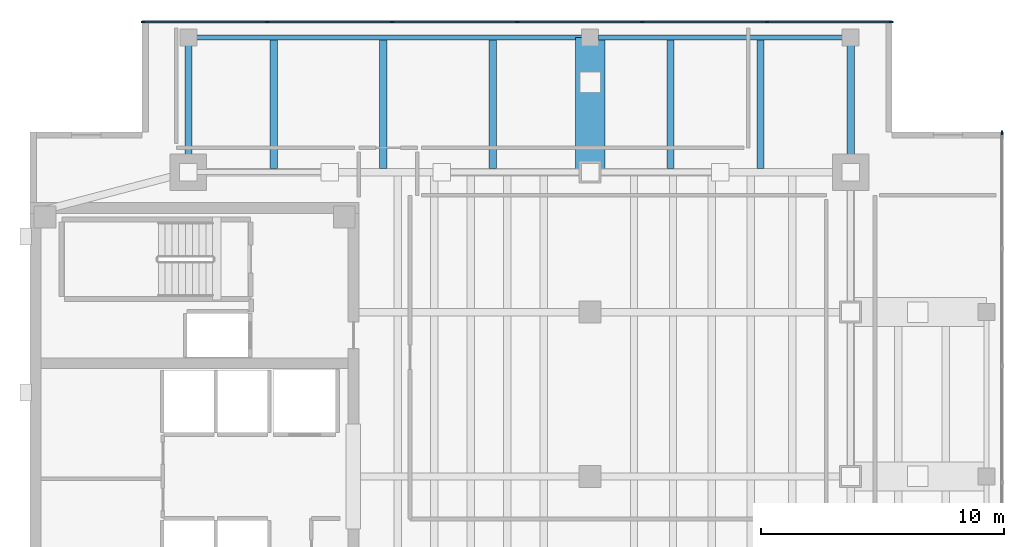
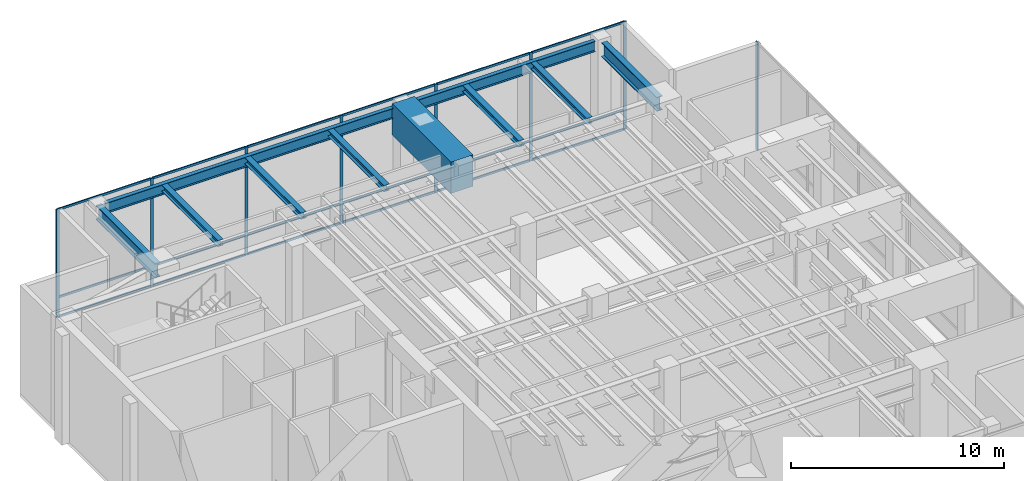
# One storey, part 6 of 11: 26 members, 10 beams, 2 elements without a shape of their own.
"""IFC4 building model written with IfcOpenShell, lengths in metres."""

from ifc_helpers import new_model, si_unit, direction, frame, origin, origin_2d, place, context, subcontext, project, spatial, rectangle, i_section, extrude, material, layer, layer_set, material_profile, profile_set, type_object, element, aggregate, save


model = new_model("IFC4")

# Units and contexts
model_context = context("Model", 3, precision=1e-05, world=origin(), true_north=direction((0.0, 1.0)))
body_context = subcontext(model_context, "Body", "Model", "MODEL_VIEW")
ifc_project = project(units=[si_unit("LENGTHUNIT", "METRE"), si_unit("AREAUNIT", "SQUARE_METRE"), si_unit("VOLUMEUNIT", "CUBIC_METRE"), si_unit("PLANEANGLEUNIT", "RADIAN"), si_unit("MASSUNIT", "GRAM", prefix="KILO")], contexts=[model_context])

# Site, building, storey
site_placement = place(None, origin())
site = spatial("IfcSite", under=ifc_project, at=site_placement, CompositionType="ELEMENT")
building_placement = place(site_placement, origin())
building = spatial("IfcBuilding", under=site, at=building_placement, Name="Kinhvarn Gate Tower", CompositionType="ELEMENT")
storey_placement = place(building_placement, frame((0.0, 0.0, 296.64990234375)))
storey = spatial("IfcBuildingStorey", under=building, at=storey_placement, Name="L79", CompositionType="ELEMENT", Elevation=296.64990234375)

# Beams
ifc_material_1 = material(Name="Steel S355", Category="steel")
ifc_material_profile_1 = material_profile(ifc_material_1, i_section(OverallWidth=0.302978515625, OverallDepth=0.81396484375, WebThickness=0.02099609375, FlangeThickness=0.0400390625, at=origin_2d()), Name="HEM 800")
ifc_profile_set_1 = profile_set([ifc_material_profile_1], Name="Steel S355")
beam_type_1 = type_object("IfcBeamType", Name="BM-HEM800", PredefinedType="BEAM", material=ifc_profile_set_1)
beam_1_placement = place(storey_placement, frame((11.0, 37.75, 5.793212890625), z_axis=(0.0, 1.0, 0.0), x_axis=(-1.0, 0.0, 0.0)))
element("IfcBeam", 1, at=beam_1_placement, inside=storey, type_object=beam_type_1, Name="Floor Beam HG-22 (L79 MCW-N)", PredefinedType="BEAM", context=body_context, shape_type="SweptSolid", body=[
    extrude(i_section(OverallWidth=0.302978515625, OverallDepth=0.81396484375, WebThickness=0.02099609375, FlangeThickness=0.0400390625, at=origin_2d()), origin(), (0.0, 0.0, 1.0), 5.530029296875),
])
beam_2_placement = place(storey_placement, frame((38.199951171875, 37.75, 5.793212890625), z_axis=(0.0, 1.0, 0.0), x_axis=(-1.0, 0.0, 0.0)))
element("IfcBeam", 2, at=beam_2_placement, inside=storey, type_object=beam_type_1, Name="Floor Beam HG-22 (L79 MCE-N)", PredefinedType="BEAM", context=body_context, shape_type="SweptSolid", body=[
    extrude(i_section(OverallWidth=0.302978515625, OverallDepth=0.81396484375, WebThickness=0.02099609375, FlangeThickness=0.0400390625, at=origin_2d()), origin(), (0.0, 0.0, 1.0), 5.195068359375),
])
ifc_material_2 = material(Name="Concrete C50/60", Category="concrete")
ifc_material_profile_2 = material_profile(ifc_material_2, rectangle(XDim=1.199951171875, YDim=1.800048828125, at=origin_2d()), Name="RC 1200x1800")
ifc_profile_set_2 = profile_set([ifc_material_profile_2], Name="Concrete C50/60")
beam_type_2 = type_object("IfcBeamType", Name="BM-TG-1800", PredefinedType="BEAM", material=ifc_profile_set_2)
beam_3_placement = place(storey_placement, frame((27.5, 37.75, 5.5), z_axis=(0.0, 1.0, 0.0), x_axis=(-1.0, 0.0, 0.0)))
element("IfcBeam", 3, at=beam_3_placement, inside=storey, type_object=beam_type_2, Name="Setback Transfer Girder TG-03-L80-CCR-N1", PredefinedType="BEAM", context=body_context, shape_type="SweptSolid", body=[
    extrude(rectangle(XDim=1.199951171875, YDim=1.800048828125, at=origin_2d()), origin(), (0.0, 0.0, 1.0), 5.530029296875),
])

# Curtain wall, members
ifc_material_3 = material(Name="Anodised aluminium AW-6063", Category="aluminium")
ifc_layer = layer(ifc_material_3, 0.199951171875)
ifc_layer_set = layer_set([ifc_layer], Name="Anodised aluminium AW-6063")
curtain_wall_type = type_object("IfcCurtainWallType", Name="CW-SYS-6", PredefinedType="NOTDEFINED", material=ifc_layer_set)
curtain_wall_1_placement = place(storey_placement, origin())
curtain_wall_1 = element("IfcCurtainWall", 4, at=curtain_wall_1_placement, inside=storey, type_object=curtain_wall_type, Name="Curtain Wall CW6 (L79)", PredefinedType="NOTDEFINED")
ifc_material_profile_3 = material_profile(ifc_material_3, rectangle(XDim=0.06494140625, YDim=0.159912109375, at=origin_2d()), Name="ALU 65x160")
ifc_profile_set_3 = profile_set([ifc_material_profile_3], Name="Anodised aluminium AW-6063")
member_type_1 = type_object("IfcMemberType", Name="CW-MUL-160", PredefinedType="MULLION", material=ifc_profile_set_3)
member_1_placement = place(storey_placement, frame((39.867431640625, 43.909912109375, 0.0), z_axis=(0.0, 0.0, 1.0), x_axis=(0.0, -1.0, 0.0)))
member_1 = element("IfcMember", 5, at=member_1_placement, type_object=member_type_1, Name="CW6 mullion 1", PredefinedType="MULLION", context=body_context, shape_type="SweptSolid", body=[
    extrude(rectangle(XDim=0.06494140625, YDim=0.159912109375, at=origin_2d()), origin(), (0.0, 0.0, 1.0), 6.2001953125),
])
member_2_placement = place(storey_placement, frame((34.7666015625, 43.909912109375, 0.0), z_axis=(0.0, 0.0, 1.0), x_axis=(0.0, -1.0, 0.0)))
member_2 = element("IfcMember", 6, at=member_2_placement, type_object=member_type_1, Name="CW6 mullion 2", PredefinedType="MULLION", context=body_context, shape_type="SweptSolid", body=[
    extrude(rectangle(XDim=0.06494140625, YDim=0.159912109375, at=origin_2d()), origin(), (0.0, 0.0, 1.0), 6.2001953125),
])
member_3_placement = place(storey_placement, frame((29.63330078125, 43.909912109375, 0.0), z_axis=(0.0, 0.0, 1.0), x_axis=(0.0, -1.0, 0.0)))
member_3 = element("IfcMember", 7, at=member_3_placement, type_object=member_type_1, Name="CW6 mullion 3", PredefinedType="MULLION", context=body_context, shape_type="SweptSolid", body=[
    extrude(rectangle(XDim=0.06494140625, YDim=0.159912109375, at=origin_2d()), origin(), (0.0, 0.0, 1.0), 6.2001953125),
])
member_4_placement = place(storey_placement, frame((24.5, 43.909912109375, 0.0), z_axis=(0.0, 0.0, 1.0), x_axis=(0.0, -1.0, 0.0)))
member_4 = element("IfcMember", 8, at=member_4_placement, type_object=member_type_1, Name="CW6 mullion 4", PredefinedType="MULLION", context=body_context, shape_type="SweptSolid", body=[
    extrude(rectangle(XDim=0.06494140625, YDim=0.159912109375, at=origin_2d()), origin(), (0.0, 0.0, 1.0), 6.2001953125),
])
member_5_placement = place(storey_placement, frame((19.36669921875, 43.909912109375, 0.0), z_axis=(0.0, 0.0, 1.0), x_axis=(0.0, -1.0, 0.0)))
member_5 = element("IfcMember", 9, at=member_5_placement, type_object=member_type_1, Name="CW6 mullion 5", PredefinedType="MULLION", context=body_context, shape_type="SweptSolid", body=[
    extrude(rectangle(XDim=0.06494140625, YDim=0.159912109375, at=origin_2d()), origin(), (0.0, 0.0, 1.0), 6.2001953125),
])
member_6_placement = place(storey_placement, frame((14.2333984375, 43.909912109375, 0.0), z_axis=(0.0, 0.0, 1.0), x_axis=(0.0, -1.0, 0.0)))
member_6 = element("IfcMember", 10, at=member_6_placement, type_object=member_type_1, Name="CW6 mullion 6", PredefinedType="MULLION", context=body_context, shape_type="SweptSolid", body=[
    extrude(rectangle(XDim=0.06494140625, YDim=0.159912109375, at=origin_2d()), origin(), (0.0, 0.0, 1.0), 6.2001953125),
])
member_7_placement = place(storey_placement, frame((9.132568359375, 43.909912109375, 0.0), z_axis=(0.0, 0.0, 1.0), x_axis=(0.0, -1.0, 0.0)))
member_7 = element("IfcMember", 11, at=member_7_placement, type_object=member_type_1, Name="CW6 mullion 7", PredefinedType="MULLION", context=body_context, shape_type="SweptSolid", body=[
    extrude(rectangle(XDim=0.06494140625, YDim=0.159912109375, at=origin_2d()), origin(), (0.0, 0.0, 1.0), 6.2001953125),
])

# Curtain wall, member
curtain_wall_2_placement = place(storey_placement, origin())
curtain_wall_2 = element("IfcCurtainWall", 12, at=curtain_wall_2_placement, inside=storey, type_object=curtain_wall_type, Name="Curtain Wall CW6 (L79)", PredefinedType="NOTDEFINED")
member_8_placement = place(storey_placement, frame((44.409912109375, 39.367431640625, 0.0), z_axis=(0.0, 0.0, 1.0), x_axis=(-1.0, 0.0, 0.0)))
member_8 = element("IfcMember", 13, at=member_8_placement, type_object=member_type_1, Name="CW6 mullion 7", PredefinedType="MULLION", context=body_context, shape_type="SweptSolid", body=[
    extrude(rectangle(XDim=0.06494140625, YDim=0.159912109375, at=origin_2d()), origin(), (0.0, 0.0, 1.0), 6.2001953125),
])
aggregate(curtain_wall_2, [member_8])

# Member
ifc_material_profile_4 = material_profile(ifc_material_3, rectangle(XDim=0.06494140625, YDim=0.1201171875, at=origin_2d()), Name="ALU 65x120")
ifc_profile_set_4 = profile_set([ifc_material_profile_4], Name="Anodised aluminium AW-6063")
member_type_2 = type_object("IfcMemberType", Name="CW-TRN-120", PredefinedType="USERDEFINED", material=ifc_profile_set_4)
member_9_placement = place(storey_placement, frame((39.8349609375, 43.909912109375, 0.03271484375), z_axis=(-1.0, 0.0, 0.0), x_axis=(0.0, -1.0, 0.0)))
member_9 = element("IfcMember", 14, at=member_9_placement, type_object=member_type_2, Name="CW6 transom 1.1", ObjectType="TRANSOM", PredefinedType="USERDEFINED", context=body_context, shape_type="SweptSolid", body=[
    extrude(rectangle(XDim=0.06494140625, YDim=0.1201171875, at=origin_2d()), origin(), (0.0, 0.0, 1.0), 5.035888671875),
])

member_10_placement = place(storey_placement, frame((39.8349609375, 43.909912109375, 1.150146484375), z_axis=(-1.0, 0.0, 0.0), x_axis=(0.0, -1.0, 0.0)))
member_10 = element("IfcMember", 15, at=member_10_placement, type_object=member_type_2, Name="CW6 transom 1.2", ObjectType="TRANSOM", PredefinedType="USERDEFINED", context=body_context, shape_type="SweptSolid", body=[
    extrude(rectangle(XDim=0.06494140625, YDim=0.1201171875, at=origin_2d()), origin(), (0.0, 0.0, 1.0), 5.035888671875),
])

member_11_placement = place(storey_placement, frame((39.8349609375, 43.909912109375, 6.16748046875), z_axis=(-1.0, 0.0, 0.0), x_axis=(0.0, -1.0, 0.0)))
member_11 = element("IfcMember", 16, at=member_11_placement, type_object=member_type_2, Name="CW6 transom 1.3", ObjectType="TRANSOM", PredefinedType="USERDEFINED", context=body_context, shape_type="SweptSolid", body=[
    extrude(rectangle(XDim=0.06494140625, YDim=0.1201171875, at=origin_2d()), origin(), (0.0, 0.0, 1.0), 5.035888671875),
])

member_12_placement = place(storey_placement, frame((34.734130859375, 43.909912109375, 0.03271484375), z_axis=(-1.0, 0.0, 0.0), x_axis=(0.0, -1.0, 0.0)))
member_12 = element("IfcMember", 17, at=member_12_placement, type_object=member_type_2, Name="CW6 transom 2.1", ObjectType="TRANSOM", PredefinedType="USERDEFINED", context=body_context, shape_type="SweptSolid", body=[
    extrude(rectangle(XDim=0.06494140625, YDim=0.1201171875, at=origin_2d()), origin(), (0.0, 0.0, 1.0), 5.068359375),
])

member_13_placement = place(storey_placement, frame((34.734130859375, 43.909912109375, 1.150146484375), z_axis=(-1.0, 0.0, 0.0), x_axis=(0.0, -1.0, 0.0)))
member_13 = element("IfcMember", 18, at=member_13_placement, type_object=member_type_2, Name="CW6 transom 2.2", ObjectType="TRANSOM", PredefinedType="USERDEFINED", context=body_context, shape_type="SweptSolid", body=[
    extrude(rectangle(XDim=0.06494140625, YDim=0.1201171875, at=origin_2d()), origin(), (0.0, 0.0, 1.0), 5.068359375),
])

member_14_placement = place(storey_placement, frame((34.734130859375, 43.909912109375, 6.16748046875), z_axis=(-1.0, 0.0, 0.0), x_axis=(0.0, -1.0, 0.0)))
member_14 = element("IfcMember", 19, at=member_14_placement, type_object=member_type_2, Name="CW6 transom 2.3", ObjectType="TRANSOM", PredefinedType="USERDEFINED", context=body_context, shape_type="SweptSolid", body=[
    extrude(rectangle(XDim=0.06494140625, YDim=0.1201171875, at=origin_2d()), origin(), (0.0, 0.0, 1.0), 5.068359375),
])

member_15_placement = place(storey_placement, frame((29.600830078125, 43.909912109375, 0.03271484375), z_axis=(-1.0, 0.0, 0.0), x_axis=(0.0, -1.0, 0.0)))
member_15 = element("IfcMember", 20, at=member_15_placement, type_object=member_type_2, Name="CW6 transom 3.1", ObjectType="TRANSOM", PredefinedType="USERDEFINED", context=body_context, shape_type="SweptSolid", body=[
    extrude(rectangle(XDim=0.06494140625, YDim=0.1201171875, at=origin_2d()), origin(), (0.0, 0.0, 1.0), 5.068359375),
])

member_16_placement = place(storey_placement, frame((29.600830078125, 43.909912109375, 1.150146484375), z_axis=(-1.0, 0.0, 0.0), x_axis=(0.0, -1.0, 0.0)))
member_16 = element("IfcMember", 21, at=member_16_placement, type_object=member_type_2, Name="CW6 transom 3.2", ObjectType="TRANSOM", PredefinedType="USERDEFINED", context=body_context, shape_type="SweptSolid", body=[
    extrude(rectangle(XDim=0.06494140625, YDim=0.1201171875, at=origin_2d()), origin(), (0.0, 0.0, 1.0), 5.068359375),
])

member_17_placement = place(storey_placement, frame((29.600830078125, 43.909912109375, 6.16748046875), z_axis=(-1.0, 0.0, 0.0), x_axis=(0.0, -1.0, 0.0)))
member_17 = element("IfcMember", 22, at=member_17_placement, type_object=member_type_2, Name="CW6 transom 3.3", ObjectType="TRANSOM", PredefinedType="USERDEFINED", context=body_context, shape_type="SweptSolid", body=[
    extrude(rectangle(XDim=0.06494140625, YDim=0.1201171875, at=origin_2d()), origin(), (0.0, 0.0, 1.0), 5.068359375),
])

member_18_placement = place(storey_placement, frame((24.467529296875, 43.909912109375, 0.03271484375), z_axis=(-1.0, 0.0, 0.0), x_axis=(0.0, -1.0, 0.0)))
member_18 = element("IfcMember", 23, at=member_18_placement, type_object=member_type_2, Name="CW6 transom 4.1", ObjectType="TRANSOM", PredefinedType="USERDEFINED", context=body_context, shape_type="SweptSolid", body=[
    extrude(rectangle(XDim=0.06494140625, YDim=0.1201171875, at=origin_2d()), origin(), (0.0, 0.0, 1.0), 5.068359375),
])

member_19_placement = place(storey_placement, frame((24.467529296875, 43.909912109375, 1.150146484375), z_axis=(-1.0, 0.0, 0.0), x_axis=(0.0, -1.0, 0.0)))
member_19 = element("IfcMember", 24, at=member_19_placement, type_object=member_type_2, Name="CW6 transom 4.2", ObjectType="TRANSOM", PredefinedType="USERDEFINED", context=body_context, shape_type="SweptSolid", body=[
    extrude(rectangle(XDim=0.06494140625, YDim=0.1201171875, at=origin_2d()), origin(), (0.0, 0.0, 1.0), 5.068359375),
])

member_20_placement = place(storey_placement, frame((24.467529296875, 43.909912109375, 6.16748046875), z_axis=(-1.0, 0.0, 0.0), x_axis=(0.0, -1.0, 0.0)))
member_20 = element("IfcMember", 25, at=member_20_placement, type_object=member_type_2, Name="CW6 transom 4.3", ObjectType="TRANSOM", PredefinedType="USERDEFINED", context=body_context, shape_type="SweptSolid", body=[
    extrude(rectangle(XDim=0.06494140625, YDim=0.1201171875, at=origin_2d()), origin(), (0.0, 0.0, 1.0), 5.068359375),
])

member_21_placement = place(storey_placement, frame((19.334228515625, 43.909912109375, 0.03271484375), z_axis=(-1.0, 0.0, 0.0), x_axis=(0.0, -1.0, 0.0)))
member_21 = element("IfcMember", 26, at=member_21_placement, type_object=member_type_2, Name="CW6 transom 5.1", ObjectType="TRANSOM", PredefinedType="USERDEFINED", context=body_context, shape_type="SweptSolid", body=[
    extrude(rectangle(XDim=0.06494140625, YDim=0.1201171875, at=origin_2d()), origin(), (0.0, 0.0, 1.0), 5.068359375),
])

member_22_placement = place(storey_placement, frame((19.334228515625, 43.909912109375, 1.150146484375), z_axis=(-1.0, 0.0, 0.0), x_axis=(0.0, -1.0, 0.0)))
member_22 = element("IfcMember", 27, at=member_22_placement, type_object=member_type_2, Name="CW6 transom 5.2", ObjectType="TRANSOM", PredefinedType="USERDEFINED", context=body_context, shape_type="SweptSolid", body=[
    extrude(rectangle(XDim=0.06494140625, YDim=0.1201171875, at=origin_2d()), origin(), (0.0, 0.0, 1.0), 5.068359375),
])

member_23_placement = place(storey_placement, frame((19.334228515625, 43.909912109375, 6.16748046875), z_axis=(-1.0, 0.0, 0.0), x_axis=(0.0, -1.0, 0.0)))
member_23 = element("IfcMember", 28, at=member_23_placement, type_object=member_type_2, Name="CW6 transom 5.3", ObjectType="TRANSOM", PredefinedType="USERDEFINED", context=body_context, shape_type="SweptSolid", body=[
    extrude(rectangle(XDim=0.06494140625, YDim=0.1201171875, at=origin_2d()), origin(), (0.0, 0.0, 1.0), 5.068359375),
])

member_24_placement = place(storey_placement, frame((14.200927734375, 43.909912109375, 0.03271484375), z_axis=(-1.0, 0.0, 0.0), x_axis=(0.0, -1.0, 0.0)))
member_24 = element("IfcMember", 29, at=member_24_placement, type_object=member_type_2, Name="CW6 transom 6.1", ObjectType="TRANSOM", PredefinedType="USERDEFINED", context=body_context, shape_type="SweptSolid", body=[
    extrude(rectangle(XDim=0.06494140625, YDim=0.1201171875, at=origin_2d()), origin(), (0.0, 0.0, 1.0), 5.035888671875),
])

member_25_placement = place(storey_placement, frame((14.200927734375, 43.909912109375, 1.150146484375), z_axis=(-1.0, 0.0, 0.0), x_axis=(0.0, -1.0, 0.0)))
member_25 = element("IfcMember", 30, at=member_25_placement, type_object=member_type_2, Name="CW6 transom 6.2", ObjectType="TRANSOM", PredefinedType="USERDEFINED", context=body_context, shape_type="SweptSolid", body=[
    extrude(rectangle(XDim=0.06494140625, YDim=0.1201171875, at=origin_2d()), origin(), (0.0, 0.0, 1.0), 5.035888671875),
])

member_26_placement = place(storey_placement, frame((14.200927734375, 43.909912109375, 6.16748046875), z_axis=(-1.0, 0.0, 0.0), x_axis=(0.0, -1.0, 0.0)))
member_26 = element("IfcMember", 31, at=member_26_placement, type_object=member_type_2, Name="CW6 transom 6.3", ObjectType="TRANSOM", PredefinedType="USERDEFINED", context=body_context, shape_type="SweptSolid", body=[
    extrude(rectangle(XDim=0.06494140625, YDim=0.1201171875, at=origin_2d()), origin(), (0.0, 0.0, 1.0), 5.035888671875),
])

aggregate(curtain_wall_1, [member_1, member_2, member_3, member_4, member_5, member_6, member_7, member_9, member_10, member_11, member_12, member_13, member_14, member_15, member_16, member_17, member_18, member_19, member_20, member_21, member_22, member_23, member_24, member_25, member_26])

# Beams
ifc_material_profile_5 = material_profile(ifc_material_1, i_section(OverallWidth=0.300048828125, OverallDepth=0.360107421875, WebThickness=0.012451171875, FlangeThickness=0.0224609375, at=origin_2d()), Name="HEB 360")
ifc_profile_set_5 = profile_set([ifc_material_profile_5], Name="Steel S355")
beam_type_3 = type_object("IfcBeamType", Name="STL-HEB360", PredefinedType="BEAM", material=ifc_profile_set_5)
for number, where, z_axis, x_axis, name in (
    (32, (14.5, 37.89990234375, 6.02001953125), (0.0, 1.0, 0.0), (-1.0, 0.0, 0.0), "Floor Beam PG-11 (L79 JN-X145)"),
    (33, (19.0, 37.89990234375, 6.02001953125), (0.0, 1.0, 0.0), (-1.0, 0.0, 0.0), "Floor Beam PG-11 (L79 JN-X190)"),
    (34, (23.5, 37.89990234375, 6.02001953125), (0.0, 1.0, 0.0), (-1.0, 0.0, 0.0), "Floor Beam PG-11 (L79 JN-X235)"),
    (35, (30.800048828125, 37.89990234375, 6.02001953125), (0.0, 1.0, 0.0), (-1.0, 0.0, 0.0), "Floor Beam PG-11 (L79 JN-X308)"),
    (36, (34.5, 37.89990234375, 6.02001953125), (0.0, 1.0, 0.0), (-1.0, 0.0, 0.0), "Floor Beam PG-11 (L79 JN-X345)"),
):
    element("IfcBeam", number, at=place(storey_placement, frame(where, z_axis=z_axis, x_axis=x_axis)), inside=storey, type_object=beam_type_3, Name=name, PredefinedType="BEAM", context=body_context, shape_type="SweptSolid", body=[
        extrude(i_section(OverallWidth=0.300048828125, OverallDepth=0.360107421875, WebThickness=0.012451171875, FlangeThickness=0.0224609375, at=origin_2d()), origin(), (0.0, 0.0, 1.0), 5.27001953125),
    ])
ifc_material_profile_6 = material_profile(ifc_material_1, i_section(OverallWidth=0.219970703125, OverallDepth=0.60009765625, WebThickness=0.011962890625, FlangeThickness=0.01904296875, at=origin_2d()), Name="IPE 600")
ifc_profile_set_6 = profile_set([ifc_material_profile_6], Name="Steel S355")
beam_type_4 = type_object("IfcBeamType", Name="STL-IPE600", PredefinedType="SPANDREL", material=ifc_profile_set_6)
beam_4_placement = place(storey_placement, frame((11.3349609375, 43.280029296875, 5.900146484375), z_axis=(1.0, 0.0, 0.0), x_axis=(0.0, 1.0, 0.0)))
element("IfcBeam", 37, at=beam_4_placement, inside=storey, type_object=beam_type_4, Name="Floor Spandrel SB-09 (L79 SP-N1)", PredefinedType="SPANDREL", context=body_context, shape_type="SweptSolid", body=[
    extrude(i_section(OverallWidth=0.219970703125, OverallDepth=0.60009765625, WebThickness=0.011962890625, FlangeThickness=0.01904296875, at=origin_2d()), origin(), (0.0, 0.0, 1.0), 15.830078125),
])
beam_5_placement = place(storey_placement, frame((27.8349609375, 43.280029296875, 5.900146484375), z_axis=(1.0, 0.0, 0.0), x_axis=(0.0, 1.0, 0.0)))
element("IfcBeam", 38, at=beam_5_placement, inside=storey, type_object=beam_type_4, Name="Floor Spandrel SB-09 (L79 SP-N2)", PredefinedType="SPANDREL", context=body_context, shape_type="SweptSolid", body=[
    extrude(i_section(OverallWidth=0.219970703125, OverallDepth=0.60009765625, WebThickness=0.011962890625, FlangeThickness=0.01904296875, at=origin_2d()), origin(), (0.0, 0.0, 1.0), 10.030029296875),
])

save(model, "model.ifc")
